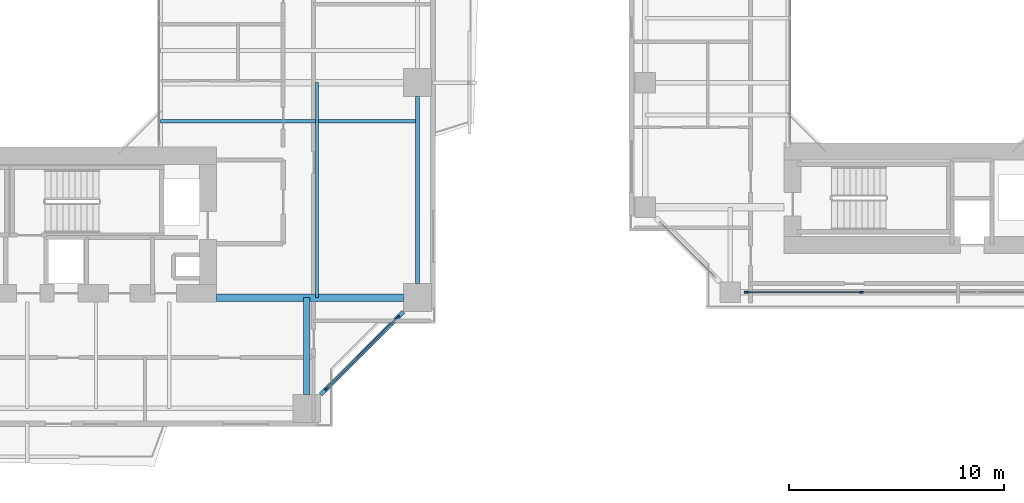
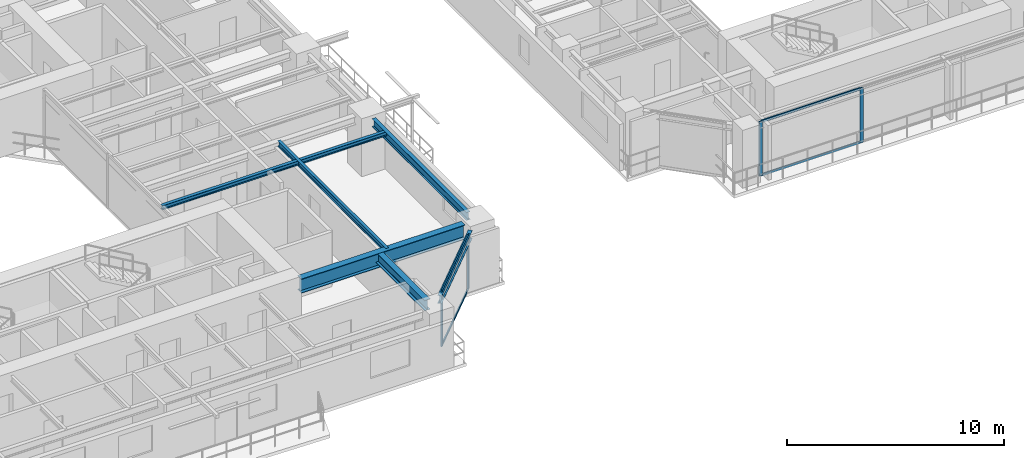
# One storey, part 5 of 23: 8 members, 6 beams, 2 elements without a shape of their own.
"""IFC4 building model written with IfcOpenShell, lengths in metres."""

import ifcopenshell
import ifcopenshell.guid

model = None  # the IFC model being written
_history = None  # IfcOwnerHistory: only IFC2X3 demands one
_inside = {}  # id of a spatial element -> (the spatial element, [elements in it])
_under = {}  # id of a project, library or spatial element -> (it, [spatial elements below it])
_declared = {}  # id of a project -> (the project, [libraries it declares])
_typed = {}  # id of a type object -> (the type object, [elements of that type])
_made_of = {}  # id of a material, layer set ... -> (it, [elements and type objects made of it])


def new_model(schema):
    """Start an empty IFC model of exactly this schema.

    Asked for "IFC4X3", IfcOpenShell would pick the latest addendum, in which some entities
    have other attributes; the version numbers below select the first issue.
    IFC2X3 requires an IfcOwnerHistory on every rooted entity: one is made here for all.
    """
    global model, _history
    if schema == "IFC4X3":
        model = ifcopenshell.file(schema_version=(4, 3, 0, 0))
    else:
        model = ifcopenshell.file(schema=schema)
    _inside.clear()
    _under.clear()
    _declared.clear()
    _typed.clear()
    _made_of.clear()
    _history = None
    if model.schema == "IFC2X3":
        org = make("IfcOrganization", Name="unknown")
        user = make(
            "IfcPersonAndOrganization",
            ThePerson=make("IfcPerson", FamilyName="unknown"),
            TheOrganization=org,
        )
        app = make(
            "IfcApplication",
            ApplicationDeveloper=org,
            Version="unknown",
            ApplicationFullName="unknown",
            ApplicationIdentifier="unknown",
        )
        _history = make(
            "IfcOwnerHistory",
            OwningUser=user,
            OwningApplication=app,
            ChangeAction="ADDED",
            CreationDate=0,
        )
    return model


def make(cls, **values):
    """One entity of the class cls with the attributes given. An attribute that is None is left unset."""
    return model.create_entity(
        cls, **{name: value for name, value in values.items() if value is not None}
    )


def rooted(cls, **values):
    """An entity with a GlobalId (a new one), such as an element, a storey or a relation."""
    return make(cls, GlobalId=ifcopenshell.guid.new(), OwnerHistory=_history, **values)


def si_unit(unit_type, name, prefix=None):
    """IfcSIUnit, for example si_unit("LENGTHUNIT", "METRE", prefix="MILLI")."""
    return make("IfcSIUnit", UnitType=unit_type, Prefix=prefix, Name=name)


def assignment(units):
    """IfcUnitAssignment: the units of a project."""
    return None if units is None else make("IfcUnitAssignment", Units=units)


def point(xyz):
    """IfcCartesianPoint."""
    return None if xyz is None else make("IfcCartesianPoint", Coordinates=xyz)


def direction(xyz):
    """IfcDirection."""
    return None if xyz is None else make("IfcDirection", DirectionRatios=xyz)


def frame(location, z_axis=None, x_axis=None):
    """IfcAxis2Placement3D, a coordinate frame: its origin and axes. An axis left out is left unset."""
    return make(
        "IfcAxis2Placement3D",
        Location=point(location),
        Axis=direction(z_axis),
        RefDirection=direction(x_axis),
    )


def frame_2d(location, x_axis=None):
    """IfcAxis2Placement2D, a coordinate frame in the plane: its origin and x axis."""
    return make(
        "IfcAxis2Placement2D", Location=point(location), RefDirection=direction(x_axis)
    )


def origin():
    """The frame at (0, 0, 0) with its axes left unset."""
    return frame((0.0, 0.0, 0.0))


def origin_2d():
    """The frame at (0, 0) in the plane with its x axis left unset."""
    return frame_2d((0.0, 0.0))


def place(relative_to, where):
    """IfcLocalPlacement: puts the frame where relative to a parent placement (None: the world)."""
    return make(
        "IfcLocalPlacement", PlacementRelTo=relative_to, RelativePlacement=where
    )


def context(
    kind, dimensions, precision=None, world=None, true_north=None, identifier=None
):
    """IfcGeometricRepresentationContext, for example the 3D "Model" context."""
    return make(
        "IfcGeometricRepresentationContext",
        ContextIdentifier=identifier,
        ContextType=kind,
        CoordinateSpaceDimension=dimensions,
        Precision=precision,
        WorldCoordinateSystem=world,
        TrueNorth=true_north,
    )


def subcontext(parent, identifier, kind, view, scale=None):
    """IfcGeometricRepresentationSubContext, for example "Body" below "Model"."""
    return make(
        "IfcGeometricRepresentationSubContext",
        ContextIdentifier=identifier,
        ContextType=kind,
        ParentContext=parent,
        TargetScale=scale,
        TargetView=view,
    )


def project(units=None, contexts=None):
    """IfcProject with its units and contexts."""
    return rooted(
        "IfcProject",
        Name="project",
        RepresentationContexts=contexts,
        UnitsInContext=assignment(units),
    )


def spatial(cls, under=None, at=None, **own):
    """A site, building, storey or space (cls), placed at a placement, below another one or the project."""
    s = rooted(cls, ObjectPlacement=at, **own)
    if under is not None:
        _under.setdefault(under.id(), (under, []))[1].append(s)
    return s


def profile(cls, at=None, kind="AREA", **sizes):
    """A parametric profile (cls). Its sizes go by their IFC names, for example OverallWidth=200.0."""
    return make(cls, ProfileType=kind, Position=at, **sizes)


def rectangle(**sizes):
    """IfcRectangleProfileDef."""
    return profile("IfcRectangleProfileDef", **sizes)


def i_section(**sizes):
    """IfcIShapeProfileDef."""
    return profile("IfcIShapeProfileDef", **sizes)


def extrude(swept, where, along, depth):
    """IfcExtrudedAreaSolid: the profile swept, set in the frame where, extruded along a direction by depth."""
    return make(
        "IfcExtrudedAreaSolid",
        SweptArea=swept,
        Position=where,
        ExtrudedDirection=direction(along),
        Depth=depth,
    )


def shape(context_of_items, identifier, shape_type, items):
    """IfcShapeRepresentation: the items that make up one representation, for example the "Body"."""
    return make(
        "IfcShapeRepresentation",
        ContextOfItems=context_of_items,
        RepresentationIdentifier=identifier,
        RepresentationType=shape_type,
        Items=items,
    )


def source(mapping_origin, context_of_items, identifier, shape_type, items):
    """IfcRepresentationMap: a shape defined once, which mapped items show again and again."""
    return make(
        "IfcRepresentationMap",
        MappingOrigin=mapping_origin,
        MappedRepresentation=shape(context_of_items, identifier, shape_type, items),
    )


def transform(
    local_origin,
    x_axis=None,
    y_axis=None,
    z_axis=None,
    scale=None,
    scale2=None,
    scale3=None,
    uniform=True,
):
    """IfcCartesianTransformationOperator3D, or its non-uniform kind. x_axis, y_axis, z_axis: its Axis1, 2, 3."""
    if uniform:
        return make(
            "IfcCartesianTransformationOperator3D",
            Axis1=direction(x_axis),
            Axis2=direction(y_axis),
            LocalOrigin=point(local_origin),
            Scale=scale,
            Axis3=direction(z_axis),
        )
    return make(
        "IfcCartesianTransformationOperator3DnonUniform",
        Axis1=direction(x_axis),
        Axis2=direction(y_axis),
        LocalOrigin=point(local_origin),
        Scale=scale,
        Axis3=direction(z_axis),
        Scale2=scale2,
        Scale3=scale3,
    )


def mapped(mapping_source, mapping_target):
    """IfcMappedItem: shows the shape of a source again, moved by a transform."""
    return make(
        "IfcMappedItem", MappingSource=mapping_source, MappingTarget=mapping_target
    )


def material(Name=None, Category=None):
    """IfcMaterial."""
    return make("IfcMaterial", Name=Name, Category=Category)


def layer(
    of_material, thickness, ventilated=None, Name=None, Category=None, Priority=None
):
    """IfcMaterialLayer: one layer of a wall or slab, of a material (None: an air gap)."""
    return make(
        "IfcMaterialLayer",
        Material=of_material,
        LayerThickness=thickness,
        IsVentilated=ventilated,
        Name=Name,
        Category=Category,
        Priority=Priority,
    )


def layer_set(layers, Name=None):
    """IfcMaterialLayerSet."""
    return make("IfcMaterialLayerSet", MaterialLayers=layers, LayerSetName=Name)


def material_profile(
    of_material, cross_section, Name=None, Category=None, Priority=None
):
    """IfcMaterialProfile: a cross section and its material."""
    return make(
        "IfcMaterialProfile",
        Name=Name,
        Material=of_material,
        Profile=cross_section,
        Priority=Priority,
        Category=Category,
    )


def profile_set(profiles, Name=None, composite=None):
    """IfcMaterialProfileSet."""
    return make(
        "IfcMaterialProfileSet",
        Name=Name,
        MaterialProfiles=profiles,
        CompositeProfile=composite,
    )


def made_of(thing, what):
    """Note that an element or type object is made of a material, layer set ...; save() writes the relation."""
    if what is not None:
        _made_of.setdefault(what.id(), (what, []))[1].append(thing)
    return thing


def type_object(cls, material=None, **own):
    """A type object (cls), such as IfcWallType, which elements share."""
    return made_of(rooted(cls, **own), material)


def element(
    cls,
    number,
    at=None,
    inside=None,
    cuts=None,
    type_object=None,
    material=None,
    context=None,
    identifier="Body",
    shape_type=None,
    held_by="IfcProductDefinitionShape",
    body=None,
    shapes=None,
    **own,
):
    """One element of the class cls, such as IfcWall. Its Tag is "e" and its number.

    at: its placement. inside: the storey or other place that contains it. cuts: it is an
    opening in that element (IfcRelVoidsElement). A single representation is given by context,
    identifier, shape_type and body (its items); several are given by shapes. held_by: the class
    of the entity that holds the representations. save() writes the other relations.
    """
    e = rooted(cls, Tag="e%d" % number, ObjectPlacement=at, **own)
    if body is not None:
        shapes = [shape(context, identifier, shape_type, body)]
    if shapes is not None:
        e.Representation = make(held_by, Representations=shapes)
    if inside is not None:
        _inside.setdefault(inside.id(), (inside, []))[1].append(e)
    if cuts is not None:
        rooted(
            "IfcRelVoidsElement", RelatingBuildingElement=cuts, RelatedOpeningElement=e
        )
    if type_object is not None:
        _typed.setdefault(type_object.id(), (type_object, []))[1].append(e)
    return made_of(e, material)


def aggregate(whole, parts):
    """IfcRelAggregates: a whole, such as a stair, and the parts it consists of."""
    return rooted("IfcRelAggregates", RelatingObject=whole, RelatedObjects=parts)


def save(model, path):
    """Write the relations noted so far, then the file.

    IfcRelAggregates (storeys below a building ...), IfcRelContainedInSpatialStructure (elements
    in a storey), IfcRelDefinesByType, IfcRelAssociatesMaterial and IfcRelDeclares: one each for
    every whole, place, type object, material and project.
    """
    for whole, parts in _under.values():
        aggregate(whole, parts)
    for where, things in _inside.values():
        rooted(
            "IfcRelContainedInSpatialStructure",
            RelatedElements=things,
            RelatingStructure=where,
        )
    for kind, things in _typed.values():
        rooted("IfcRelDefinesByType", RelatedObjects=things, RelatingType=kind)
    for what, things in _made_of.values():
        rooted("IfcRelAssociatesMaterial", RelatedObjects=things, RelatingMaterial=what)
    for by, libraries in _declared.values():
        rooted("IfcRelDeclares", RelatingContext=by, RelatedDefinitions=libraries)
    model.write(path)


model = new_model("IFC4")

# Units and contexts
model_context = context("Model", 3, precision=1e-05, world=origin(), true_north=direction((0.0, 1.0)))
body_context = subcontext(model_context, "Body", "Model", "MODEL_VIEW")
ifc_project = project(units=[si_unit("LENGTHUNIT", "METRE"), si_unit("AREAUNIT", "SQUARE_METRE"), si_unit("VOLUMEUNIT", "CUBIC_METRE"), si_unit("PLANEANGLEUNIT", "RADIAN"), si_unit("MASSUNIT", "GRAM", prefix="KILO"), si_unit("THERMODYNAMICTEMPERATUREUNIT", "KELVIN"), si_unit("POWERUNIT", "WATT")], contexts=[model_context])

# Site, building, storey
site_placement = place(None, origin())
site = spatial("IfcSite", under=ifc_project, at=site_placement, CompositionType="ELEMENT")
building_placement = place(site_placement, origin())
building = spatial("IfcBuilding", under=site, at=building_placement, Name="Qiaomeng Ring Towers", CompositionType="ELEMENT")
storey_placement = place(building_placement, frame((0.0, 0.0, 29.5)))
storey = spatial("IfcBuildingStorey", under=building, at=storey_placement, Name="L07", CompositionType="ELEMENT", Elevation=29.5)

# Beams
ifc_material_1 = material(Name="Steel Q355B", Category="steel")
ifc_material_profile_1 = material_profile(ifc_material_1, i_section(OverallWidth=0.199951171875, OverallDepth=0.449951171875, WebThickness=0.009033203125, FlangeThickness=0.013916015625, FilletRadius=0.01806640625, at=origin_2d()), Name="HN 450x200x9x14")
ifc_profile_set_1 = profile_set([ifc_material_profile_1], Name="Steel Q355B")
beam_type_1 = type_object("IfcBeamType", Name="STR-BM-HN450", PredefinedType="SPANDREL", material=ifc_profile_set_1)
shared_shape_1 = source(origin(), body_context, "Body", "SweptSolid", [
    extrude(i_section(OverallWidth=0.199951171875, OverallDepth=0.449951171875, WebThickness=0.009033203125, FlangeThickness=0.013916015625, FilletRadius=0.01806640625, at=origin_2d()), origin(), (0.0, 0.0, 1.0), 5.446533203125),
])
beam_1_placement = place(storey_placement, frame((32.6494140625, 5.499267578125, 2.844970703125), z_axis=(0.707106781187, 0.707106781187, 0.0), x_axis=(-0.707106781187, 0.707106781187, 0.0)))
element("IfcBeam", 1, at=beam_1_placement, inside=storey, type_object=beam_type_1, Name="L07 beam STR-SP-L07-T1-S2-E1", PredefinedType="SPANDREL", context=body_context, shape_type="MappedRepresentation", body=[
    mapped(shared_shape_1, transform((0.0, 0.0, 0.0), x_axis=(1.0, 0.0, 0.0), y_axis=(0.0, 1.0, 0.0), z_axis=(0.0, 0.0, 1.0), scale=1.0)),
])
shared_shape_2 = source(origin(), body_context, "Body", "SweptSolid", [
    extrude(i_section(OverallWidth=0.199951171875, OverallDepth=0.449951171875, WebThickness=0.009033203125, FlangeThickness=0.013916015625, FilletRadius=0.01806640625, at=origin_2d()), origin(), (0.0, 0.0, 1.0), 8.7021484375),
])
beam_2_placement = place(storey_placement, frame((37.14990234375, 10.64892578125, 2.844970703125), z_axis=(0.0, 1.0, 0.0), x_axis=(-1.0, 0.0, 0.0)))
element("IfcBeam", 2, at=beam_2_placement, inside=storey, type_object=beam_type_1, Name="L07 beam STR-SP-L07-T1-E1-E2", PredefinedType="SPANDREL", context=body_context, shape_type="MappedRepresentation", body=[
    mapped(shared_shape_2, transform((0.0, 0.0, 0.0), x_axis=(1.0, 0.0, 0.0), y_axis=(0.0, 1.0, 0.0), z_axis=(0.0, 0.0, 1.0), scale=1.0)),
])
ifc_material_2 = material(Name="Steel Q390GJC", Category="steel")
ifc_material_profile_2 = material_profile(ifc_material_2, i_section(OverallWidth=0.35009765625, OverallDepth=0.800048828125, WebThickness=0.01611328125, FlangeThickness=0.028076171875, at=origin_2d()), Name="WH 800x350x16x28")
ifc_profile_set_2 = profile_set([ifc_material_profile_2], Name="Steel Q390GJC")
beam_type_2 = type_object("IfcBeamType", Name="STR-BM-WH800", PredefinedType="BEAM", material=ifc_profile_set_2)
shared_shape_3 = source(origin(), body_context, "Body", "SweptSolid", [
    extrude(i_section(OverallWidth=0.35009765625, OverallDepth=0.800048828125, WebThickness=0.01611328125, FlangeThickness=0.028076171875, at=origin_2d()), origin(), (0.0, 0.0, 1.0), 8.700927734375),
])
beam_3_placement = place(storey_placement, frame((27.800048828125, 10.0, 2.669921875), z_axis=(1.0, 0.0, 0.0), x_axis=(0.0, 1.0, 0.0)))
element("IfcBeam", 3, at=beam_3_placement, inside=storey, type_object=beam_type_2, Name="L07 beam STR-BM-L07-T1-RAD-E1", PredefinedType="BEAM", context=body_context, shape_type="MappedRepresentation", body=[
    mapped(shared_shape_3, transform((0.0, 0.0, 0.0), x_axis=(1.0, 0.0, 0.0), y_axis=(0.0, 1.0, 0.0), z_axis=(0.0, 0.0, 1.0), scale=1.0)),
])
ifc_material_profile_3 = material_profile(ifc_material_1, i_section(OverallWidth=0.300048828125, OverallDepth=0.587890625, WebThickness=0.011962890625, FlangeThickness=0.02001953125, FilletRadius=0.028076171875, at=origin_2d()), Name="HM 588x300x12x20")
ifc_profile_set_3 = profile_set([ifc_material_profile_3], Name="Steel Q355B")
beam_type_3 = type_object("IfcBeamType", Name="STR-BM-HM588", PredefinedType="BEAM", material=ifc_profile_set_3)
shared_shape_4 = source(origin(), body_context, "Body", "SweptSolid", [
    extrude(i_section(OverallWidth=0.300048828125, OverallDepth=0.587890625, WebThickness=0.011962890625, FlangeThickness=0.02001953125, FilletRadius=0.028076171875, at=origin_2d()), origin(), (0.0, 0.0, 1.0), 4.5009765625),
])
beam_4_placement = place(storey_placement, frame((32.0, 5.4990234375, 2.77587890625), z_axis=(0.0, 1.0, 0.0), x_axis=(-1.0, 0.0, 0.0)))
element("IfcBeam", 4, at=beam_4_placement, inside=storey, type_object=beam_type_3, Name="L07 beam STR-BM-L07-T1-RAD-S2", PredefinedType="BEAM", context=body_context, shape_type="MappedRepresentation", body=[
    mapped(shared_shape_4, transform((0.0, 0.0, 0.0), x_axis=(1.0, 0.0, 0.0), y_axis=(0.0, 1.0, 0.0), z_axis=(0.0, 0.0, 1.0), scale=1.0)),
])
ifc_material_profile_4 = material_profile(ifc_material_1, i_section(OverallWidth=0.175048828125, OverallDepth=0.243896484375, WebThickness=0.007080078125, FlangeThickness=0.010986328125, FilletRadius=0.01611328125, at=origin_2d()), Name="HM 244x175x7x11")
ifc_profile_set_4 = profile_set([ifc_material_profile_4], Name="Steel Q355B")
beam_type_4 = type_object("IfcBeamType", Name="STR-BM-HM244", PredefinedType="JOIST", material=ifc_profile_set_4)
shared_shape_5 = source(origin(), body_context, "Body", "SweptSolid", [
    extrude(i_section(OverallWidth=0.175048828125, OverallDepth=0.243896484375, WebThickness=0.007080078125, FlangeThickness=0.010986328125, FilletRadius=0.01611328125, at=origin_2d()), origin(), (0.0, 0.0, 1.0), 11.949951171875),
])
beam_5_placement = place(storey_placement, frame((25.199951171875, 18.199951171875, 2.947998046875), z_axis=(1.0, 0.0, 0.0), x_axis=(0.0, 1.0, 0.0)))
element("IfcBeam", 5, at=beam_5_placement, inside=storey, type_object=beam_type_4, Name="L07 beam STR-JST-L07-T1E-1", PredefinedType="JOIST", context=body_context, shape_type="MappedRepresentation", body=[
    mapped(shared_shape_5, transform((0.0, 0.0, 0.0), x_axis=(1.0, 0.0, 0.0), y_axis=(0.0, 1.0, 0.0), z_axis=(0.0, 0.0, 1.0), scale=1.0)),
])
ifc_material_profile_5 = material_profile(ifc_material_1, i_section(OverallWidth=0.14990234375, OverallDepth=0.300048828125, WebThickness=0.006591796875, FlangeThickness=0.009033203125, FilletRadius=0.012939453125, at=origin_2d()), Name="HN 300x150x6.5x9")
ifc_profile_set_5 = profile_set([ifc_material_profile_5], Name="Steel Q355B")
beam_type_5 = type_object("IfcBeamType", Name="STR-BM-HN300", PredefinedType="JOIST", material=ifc_profile_set_5)
shared_shape_6 = source(origin(), body_context, "Body", "SweptSolid", [
    extrude(i_section(OverallWidth=0.14990234375, OverallDepth=0.300048828125, WebThickness=0.006591796875, FlangeThickness=0.009033203125, FilletRadius=0.012939453125, at=origin_2d()), origin(), (0.0, 0.0, 1.0), 10.0),
])
beam_6_placement = place(storey_placement, frame((32.47509765625, 10.0, 2.919921875), z_axis=(0.0, 1.0, 0.0), x_axis=(-1.0, 0.0, 0.0)))
element("IfcBeam", 6, at=beam_6_placement, inside=storey, type_object=beam_type_5, Name="L07 beam STR-JST-L07-T1C-ES", PredefinedType="JOIST", context=body_context, shape_type="MappedRepresentation", body=[
    mapped(shared_shape_6, transform((0.0, 0.0, 0.0), x_axis=(1.0, 0.0, 0.0), y_axis=(0.0, 1.0, 0.0), z_axis=(0.0, 0.0, 1.0), scale=1.0)),
])

# Curtain wall, members
ifc_material_3 = material(Name="Fluorocarbon dark-grey aluminium", Category="aluminium")
ifc_layer_1 = layer(ifc_material_3, 0.159912109375, Name="Fluorocarbon dark-grey aluminium")
ifc_layer_set_1 = layer_set([ifc_layer_1], Name="Fluorocarbon dark-grey aluminium")
curtain_wall_type_1 = type_object("IfcCurtainWallType", Name="ARC-CW-2", PredefinedType="NOTDEFINED", material=ifc_layer_set_1)
curtain_wall_1_placement = place(storey_placement, origin())
curtain_wall_1 = element("IfcCurtainWall", 7, at=curtain_wall_1_placement, inside=storey, type_object=curtain_wall_type_1, Name="L07 Curtain Wall CW2", PredefinedType="NOTDEFINED")
ifc_material_profile_6 = material_profile(ifc_material_3, rectangle(XDim=0.070068359375, YDim=0.179931640625, at=origin_2d()), Name="ALU MULL 70x180")
ifc_profile_set_6 = profile_set([ifc_material_profile_6], Name="Fluorocarbon dark-grey aluminium")
member_type_1 = type_object("IfcMemberType", Name="ARC-CWM-160", PredefinedType="MULLION", material=ifc_profile_set_6)
shared_shape_7 = source(origin(), body_context, "Body", "SweptSolid", [
    extrude(rectangle(XDim=0.070068359375, YDim=0.179931640625, at=origin_2d()), origin(), (0.0, 0.0, 1.0), 3.070068359375),
])
member_1_placement = place(storey_placement, frame((32.914794921875, 5.7646484375, 0.0), z_axis=(0.0, 0.0, 1.0), x_axis=(-0.707106781187, 0.707106781187, 0.0)))
member_1 = element("IfcMember", 8, at=member_1_placement, type_object=member_type_1, Name="CW2 mullion 1", PredefinedType="MULLION", context=body_context, shape_type="MappedRepresentation", body=[
    mapped(shared_shape_7, transform((0.0, 0.0, 0.0), x_axis=(1.0, 0.0, 0.0), y_axis=(0.0, 1.0, 0.0), z_axis=(0.0, 0.0, 1.0), scale=1.0)),
])
member_2_placement = place(storey_placement, frame((36.2353515625, 9.085205078125, 0.0), z_axis=(0.0, 0.0, 1.0), x_axis=(-0.707106781187, 0.707106781187, 0.0)))
member_2 = element("IfcMember", 9, at=member_2_placement, type_object=member_type_1, Name="CW2 mullion 2", PredefinedType="MULLION", context=body_context, shape_type="MappedRepresentation", body=[
    mapped(shared_shape_7, transform((0.0, 0.0, 0.0), x_axis=(1.0, 0.0, 0.0), y_axis=(0.0, 1.0, 0.0), z_axis=(0.0, 0.0, 1.0), scale=1.0)),
])

ifc_layer_2 = layer(ifc_material_3, 0.14990234375, Name="Fluorocarbon dark-grey aluminium")
ifc_layer_set_2 = layer_set([ifc_layer_2], Name="Fluorocarbon dark-grey aluminium")
curtain_wall_type_2 = type_object("IfcCurtainWallType", Name="ARC-CW-5", PredefinedType="NOTDEFINED", material=ifc_layer_set_2)
curtain_wall_2_placement = place(storey_placement, origin())
curtain_wall_2 = element("IfcCurtainWall", 10, at=curtain_wall_2_placement, inside=storey, type_object=curtain_wall_type_2, Name="L07 Curtain Wall CW5", PredefinedType="NOTDEFINED")
member_3_placement = place(storey_placement, frame((52.449951171875, 10.25, 0.0), z_axis=(0.0, 0.0, 1.0), x_axis=(0.0, 1.0, 0.0)))
member_3 = element("IfcMember", 11, at=member_3_placement, type_object=member_type_1, Name="CW5 mullion 1", PredefinedType="MULLION", context=body_context, shape_type="MappedRepresentation", body=[
    mapped(shared_shape_7, transform((0.0, 0.0, 0.0), x_axis=(1.0, 0.0, 0.0), y_axis=(0.0, 1.0, 0.0), z_axis=(0.0, 0.0, 1.0), scale=1.0)),
])
member_4_placement = place(storey_placement, frame((57.804931640625, 10.25, 0.0), z_axis=(0.0, 0.0, 1.0), x_axis=(0.0, 1.0, 0.0)))
member_4 = element("IfcMember", 12, at=member_4_placement, type_object=member_type_1, Name="CW5 mullion 2", PredefinedType="MULLION", context=body_context, shape_type="MappedRepresentation", body=[
    mapped(shared_shape_7, transform((0.0, 0.0, 0.0), x_axis=(1.0, 0.0, 0.0), y_axis=(0.0, 1.0, 0.0), z_axis=(0.0, 0.0, 1.0), scale=1.0)),
])

# Member
ifc_material_profile_7 = material_profile(ifc_material_3, rectangle(XDim=0.06494140625, YDim=0.1298828125, at=origin_2d()), Name="ALU TRAN 65x130")
ifc_profile_set_7 = profile_set([ifc_material_profile_7], Name="Fluorocarbon dark-grey aluminium")
member_type_2 = type_object("IfcMemberType", Name="ARC-CWT-120", PredefinedType="USERDEFINED", material=ifc_profile_set_7)
shared_shape_8 = source(origin(), body_context, "Body", "SweptSolid", [
    extrude(rectangle(XDim=0.06494140625, YDim=0.1298828125, at=origin_2d()), origin(), (0.0, 0.0, 1.0), 4.6259765625),
])
member_5_placement = place(storey_placement, frame((32.939453125, 5.78955078125, 0.032470703125), z_axis=(0.707106781187, 0.707106781187, 0.0), x_axis=(-0.707106781187, 0.707106781187, 0.0)))
member_5 = element("IfcMember", 13, at=member_5_placement, type_object=member_type_2, Name="CW2 transom 1.1", ObjectType="TRANSOM", PredefinedType="USERDEFINED", context=body_context, shape_type="MappedRepresentation", body=[
    mapped(shared_shape_8, transform((0.0, 0.0, 0.0), x_axis=(1.0, 0.0, 0.0), y_axis=(0.0, 1.0, 0.0), z_axis=(0.0, 0.0, 1.0), scale=1.0)),
])

member_6_placement = place(storey_placement, frame((32.939453125, 5.78955078125, 3.03759765625), z_axis=(0.707106781187, 0.707106781187, 0.0), x_axis=(-0.707106781187, 0.707106781187, 0.0)))
member_6 = element("IfcMember", 14, at=member_6_placement, type_object=member_type_2, Name="CW2 transom 1.2", ObjectType="TRANSOM", PredefinedType="USERDEFINED", context=body_context, shape_type="MappedRepresentation", body=[
    mapped(shared_shape_8, transform((0.0, 0.0, 0.0), x_axis=(1.0, 0.0, 0.0), y_axis=(0.0, 1.0, 0.0), z_axis=(0.0, 0.0, 1.0), scale=1.0)),
])

aggregate(curtain_wall_1, [member_1, member_2, member_5, member_6])

shared_shape_9 = source(origin(), body_context, "Body", "SweptSolid", [
    extrude(rectangle(XDim=0.06494140625, YDim=0.1298828125, at=origin_2d()), origin(), (0.0, 0.0, 1.0), 5.284912109375),
])
member_7_placement = place(storey_placement, frame((52.485107421875, 10.25, 0.032470703125), z_axis=(1.0, 0.0, 0.0), x_axis=(0.0, 1.0, 0.0)))
member_7 = element("IfcMember", 15, at=member_7_placement, type_object=member_type_2, Name="CW5 transom 1.1", ObjectType="TRANSOM", PredefinedType="USERDEFINED", context=body_context, shape_type="MappedRepresentation", body=[
    mapped(shared_shape_9, transform((0.0, 0.0, 0.0), x_axis=(1.0, 0.0, 0.0), y_axis=(0.0, 1.0, 0.0), z_axis=(0.0, 0.0, 1.0), scale=1.0)),
])

member_8_placement = place(storey_placement, frame((52.485107421875, 10.25, 3.03759765625), z_axis=(1.0, 0.0, 0.0), x_axis=(0.0, 1.0, 0.0)))
member_8 = element("IfcMember", 16, at=member_8_placement, type_object=member_type_2, Name="CW5 transom 1.2", ObjectType="TRANSOM", PredefinedType="USERDEFINED", context=body_context, shape_type="MappedRepresentation", body=[
    mapped(shared_shape_9, transform((0.0, 0.0, 0.0), x_axis=(1.0, 0.0, 0.0), y_axis=(0.0, 1.0, 0.0), z_axis=(0.0, 0.0, 1.0), scale=1.0)),
])

aggregate(curtain_wall_2, [member_3, member_4, member_7, member_8])

save(model, "model.ifc")
